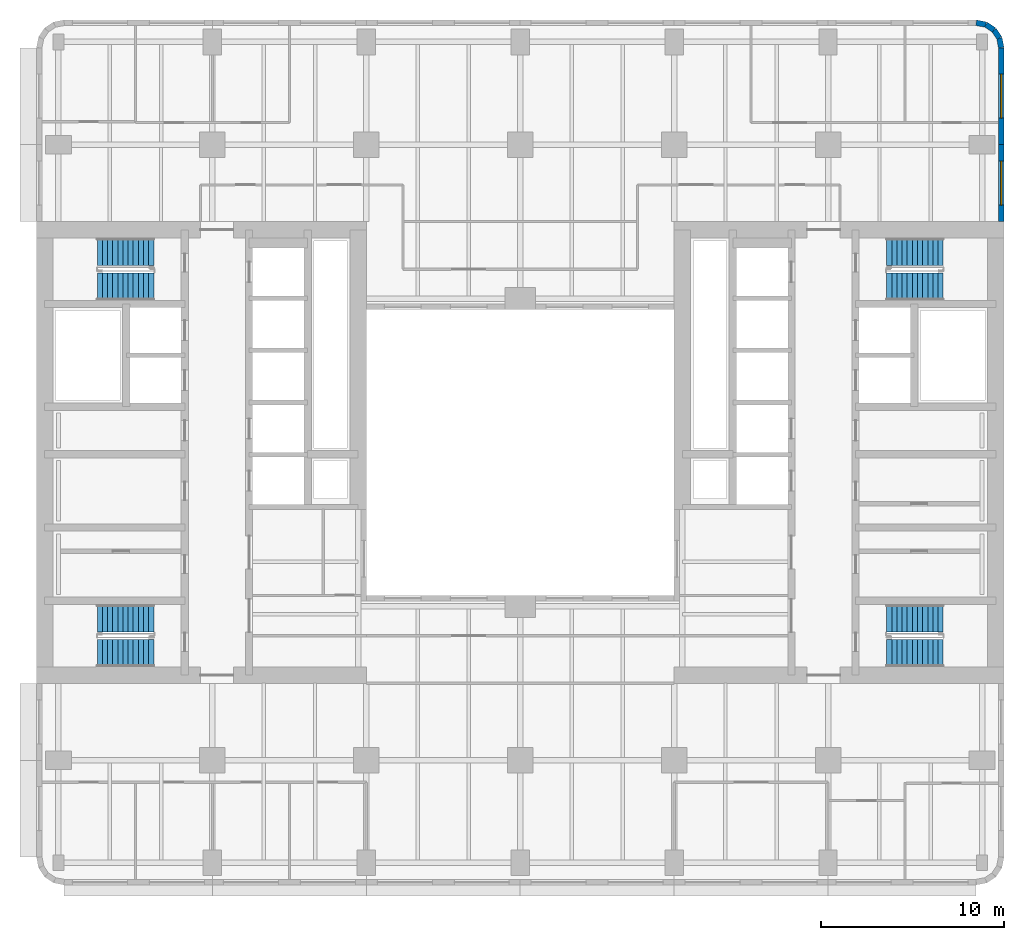
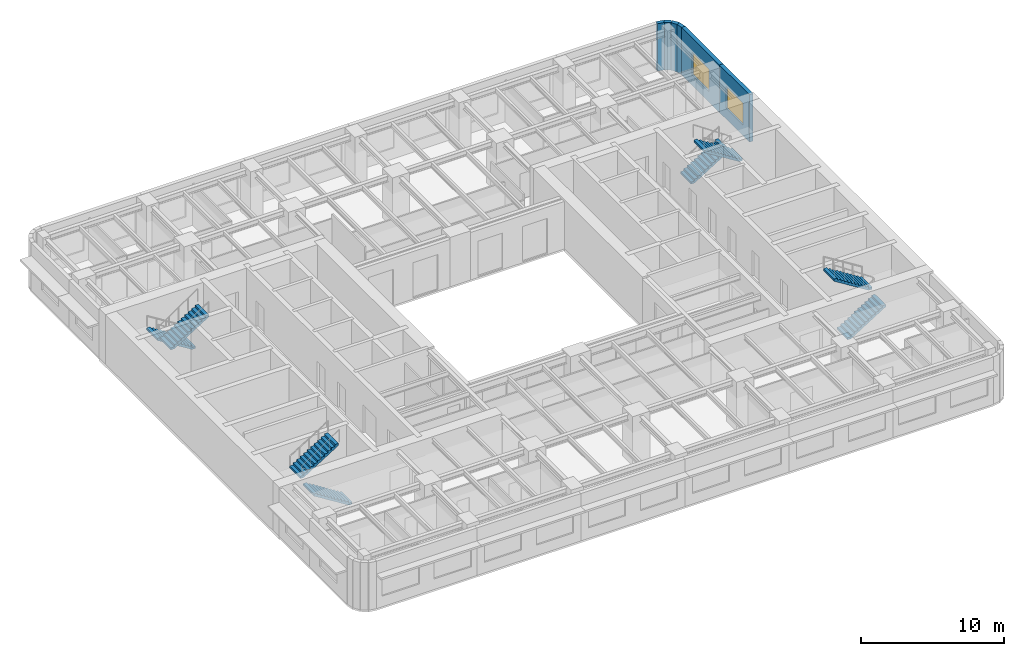
# One storey, part 8 of 11: 8 stair flights, 6 walls, 2 windows, 2 openings, 4 elements without a shape of their own.
"""IFC4 building model written with IfcOpenShell, lengths in metres."""

from ifc_helpers import new_model, si_unit, direction, frame, frame_2d, origin, place, context, subcontext, project, spatial, polyline, rectangle, outline, extrude, material, layer, layer_set, type_object, element, fill, aggregate, save


model = new_model("IFC4")

# Units and contexts
model_context = context("Model", 3, precision=1e-05, world=origin(), true_north=direction((0.0, 1.0)))
body_context = subcontext(model_context, "Body", "Model", "MODEL_VIEW")
ifc_project = project(units=[si_unit("LENGTHUNIT", "METRE"), si_unit("AREAUNIT", "SQUARE_METRE"), si_unit("VOLUMEUNIT", "CUBIC_METRE"), si_unit("PLANEANGLEUNIT", "RADIAN"), si_unit("MASSUNIT", "GRAM", prefix="KILO")], contexts=[model_context])

# Site, building, storey
site_placement = place(None, origin())
site = spatial("IfcSite", under=ifc_project, at=site_placement, CompositionType="ELEMENT")
building_placement = place(site_placement, origin())
building = spatial("IfcBuilding", under=site, at=building_placement, Name="Claustro Exchange Tower", CompositionType="ELEMENT")
storey_placement = place(building_placement, frame((0.0, 0.0, 109.199951171875)))
storey = spatial("IfcBuildingStorey", under=building, at=storey_placement, Name="L24", CompositionType="ELEMENT", Elevation=109.199951171875)

# Walls
ifc_material_1 = material(Name="Concrete HA-40 (C40/50), precast, white cement, acid-etched", Category="concrete")
ifc_layer = layer(ifc_material_1, 0.300048828125)
ifc_layer_set = layer_set([ifc_layer], Name="Concrete HA-40 (C40/50), precast, white cement, acid-etched")
wall_type = type_object("IfcWallType", Name="PC1 300 precast concrete pier panel", PredefinedType="SOLIDWALL", material=ifc_layer_set)
wall_1_placement = place(storey_placement, frame((50.085205078125, 48.64990234375, 0.0), z_axis=(0.0, 0.0, 1.0), x_axis=(0.980788534345, -0.195073962632, 0.0)))
element("IfcWall", 1, at=wall_1_placement, inside=storey, type_object=wall_type, Name="Precast pier panel PC1 L24", PredefinedType="SOLIDWALL", context=body_context, shape_type="SweptSolid", body=[
    extrude(rectangle(XDim=0.540771484375, YDim=0.300048828125, at=frame_2d((0.2705078125, 0.0))), origin(), (0.0, 0.0, 1.0), 4.050048828125),
])
wall_2_placement = place(storey_placement, frame((50.615478515625, 48.54443359375, 0.0), z_axis=(0.0, 0.0, 1.0), x_axis=(0.831692711774, -0.555236195849, 0.0)))
element("IfcWall", 2, at=wall_2_placement, inside=storey, type_object=wall_type, Name="Precast pier panel PC1 L24", PredefinedType="SOLIDWALL", context=body_context, shape_type="SweptSolid", body=[
    extrude(rectangle(XDim=0.525390625, YDim=0.300048828125, at=frame_2d((0.2626953125, 0.0))), origin(), (0.0, 0.0, 1.0), 4.050048828125),
])
wall_3_placement = place(storey_placement, frame((51.052490234375, 48.252685546875, 0.0), z_axis=(0.0, 0.0, 1.0), x_axis=(0.55534295404, -0.831621430339, 0.0)))
element("IfcWall", 3, at=wall_3_placement, inside=storey, type_object=wall_type, Name="Precast pier panel PC1 L24", PredefinedType="SOLIDWALL", context=body_context, shape_type="SweptSolid", body=[
    extrude(rectangle(XDim=0.52587890625, YDim=0.300048828125, at=frame_2d((0.262939453125, 0.0))), origin(), (0.0, 0.0, 1.0), 4.050048828125),
])
wall_4_placement = place(storey_placement, frame((51.344482421875, 47.8154296875, 0.0), z_axis=(0.0, 0.0, 1.0), x_axis=(0.195073962632, -0.980788534345, 0.0)))
element("IfcWall", 4, at=wall_4_placement, inside=storey, type_object=wall_type, Name="Precast pier panel PC1 L24", PredefinedType="SOLIDWALL", context=body_context, shape_type="SweptSolid", body=[
    extrude(rectangle(XDim=0.540771484375, YDim=0.300048828125, at=frame_2d((0.2705078125, 0.0))), origin(), (0.0, 0.0, 1.0), 4.050048828125),
])

# Wall, opening, window
wall_5_placement = place(storey_placement, frame((51.449951171875, 47.28515625, 0.0), z_axis=(0.0, 0.0, 1.0), x_axis=(0.0, -1.0, 0.0)))
wall_5 = element("IfcWall", 5, at=wall_5_placement, inside=storey, type_object=wall_type, Name="Precast pier panel PC1 L24", PredefinedType="SOLIDWALL", context=body_context, shape_type="SweptSolid", body=[
    extrude(rectangle(XDim=5.28515625, YDim=0.300048828125, at=frame_2d((2.642578125, 0.0))), origin(), (0.0, 0.0, 1.0), 4.050048828125),
])
opening_1_placement = place(wall_5_placement, frame((1.442626953125, 0.0, 0.89990234375)))
opening_1 = element("IfcOpeningElement", 6, at=opening_1_placement, cuts=wall_5, Name="Opening W2", PredefinedType="OPENING", context=body_context, shape_type="SweptSolid", body=[
    extrude(rectangle(XDim=2.39990234375, YDim=1.89990234375, at=frame_2d((1.199951171875, 0.949951171875))), frame((0.0, 0.159912109375, 0.0), z_axis=(0.0, -1.0, 0.0), x_axis=(1.0, 0.0, 0.0)), (0.0, 0.0, 1.0), 0.320068359375),
])
ifc_material_2 = material(Name="Aluminium frame, clear double glazing", Category="aluminium")
window_type = type_object("IfcWindowType", Name="W2 2400 x 1900 window", PartitioningType="SINGLE_PANEL", PredefinedType="WINDOW", material=ifc_material_2)
window_1_placement = place(opening_1_placement, origin())
window_1 = element("IfcWindow", 7, at=window_1_placement, inside=storey, type_object=window_type, Name="Window W2 L24", OverallHeight=1.89990234375, OverallWidth=2.39990234375, PartitioningType="SINGLE_PANEL", PredefinedType="WINDOW", context=body_context, shape_type="SweptSolid", body=[
    extrude(rectangle(XDim=2.39990234375, YDim=1.89990234375, at=frame_2d((1.199951171875, 0.949951171875))), frame((0.0, 0.030029296875, 0.0), z_axis=(0.0, -1.0, 0.0), x_axis=(1.0, 0.0, 0.0)), (0.0, 0.0, 1.0), 0.06005859375),
])
fill(opening_1, window_1)

wall_6_placement = place(storey_placement, frame((51.449951171875, 42.0, 0.0), z_axis=(0.0, 0.0, 1.0), x_axis=(0.0, -1.0, 0.0)))
wall_6 = element("IfcWall", 8, at=wall_6_placement, inside=storey, type_object=wall_type, Name="Precast pier panel PC1 L24", PredefinedType="SOLIDWALL", context=body_context, shape_type="SweptSolid", body=[
    extrude(rectangle(XDim=4.199951171875, YDim=0.300048828125, at=frame_2d((2.10009765625, 0.0))), origin(), (0.0, 0.0, 1.0), 4.050048828125),
])
opening_2_placement = place(wall_6_placement, frame((0.89990234375, 0.0, 0.89990234375)))
opening_2 = element("IfcOpeningElement", 9, at=opening_2_placement, cuts=wall_6, Name="Opening W2", PredefinedType="OPENING", context=body_context, shape_type="SweptSolid", body=[
    extrude(rectangle(XDim=2.39990234375, YDim=1.89990234375, at=frame_2d((1.199951171875, 0.949951171875))), frame((0.0, 0.159912109375, 0.0), z_axis=(0.0, -1.0, 0.0), x_axis=(1.0, 0.0, 0.0)), (0.0, 0.0, 1.0), 0.320068359375),
])
window_2_placement = place(opening_2_placement, origin())
window_2 = element("IfcWindow", 10, at=window_2_placement, inside=storey, type_object=window_type, Name="Window W2 L24", OverallHeight=1.89990234375, OverallWidth=2.39990234375, PartitioningType="SINGLE_PANEL", PredefinedType="WINDOW", context=body_context, shape_type="SweptSolid", body=[
    extrude(rectangle(XDim=2.39990234375, YDim=1.89990234375, at=frame_2d((1.199951171875, 0.949951171875))), frame((0.0, 0.030029296875, 0.0), z_axis=(0.0, -1.0, 0.0), x_axis=(1.0, 0.0, 0.0)), (0.0, 0.0, 1.0), 0.06005859375),
])
fill(opening_2, window_2)

# Stair, stair flights
ifc_material_3 = material(Name="Concrete HA-30 (C30/37), precast", Category="concrete")
stair_type = type_object("IfcStairType", Name="ST1 half-turn stair, 24 risers of 175", PredefinedType="HALF_TURN_STAIR", material=ifc_material_3)
stair_1_placement = place(storey_placement, origin())
stair_1 = element("IfcStair", 11, at=stair_1_placement, inside=storey, type_object=stair_type, Name="Stair STWA L24", PredefinedType="HALF_TURN_STAIR")
ifc_material_4 = material(Name="Concrete HA-30 (C30/37), precast", Category="concrete")
stair_flight_type = type_object("IfcStairFlightType", Name="SF12A straight flight, 12 risers of 175, 1500 wide", PredefinedType="STRAIGHT", material=ifc_material_4)
stair_flight_1_placement = place(storey_placement, frame((5.199951171875, 14.25, 0.0), z_axis=(0.0, 0.0, 1.0), x_axis=(-1.0, 0.0, 0.0)))
stair_flight_1 = element("IfcStairFlight", 12, at=stair_flight_1_placement, type_object=stair_flight_type, Name="STWA flight 1", NumberOfRisers=12, NumberOfTreads=11, PredefinedType="STRAIGHT", RiserHeight=0.175, TreadLength=0.28, context=body_context, shape_type="SweptSolid", body=[
    extrude(outline(polyline([(0.0, 0.0), (0.0, 0.175048828125), (0.280029296875, 0.175048828125), (0.280029296875, 0.35009765625), (0.56005859375, 0.35009765625), (0.56005859375, 0.52490234375), (0.840087890625, 0.52490234375), (0.840087890625, 0.699951171875), (1.1201171875, 0.699951171875), (1.1201171875, 0.875), (1.39990234375, 0.875), (1.39990234375, 1.050048828125), (1.679931640625, 1.050048828125), (1.679931640625, 1.22509765625), (1.9599609375, 1.22509765625), (1.9599609375, 1.39990234375), (2.239990234375, 1.39990234375), (2.239990234375, 1.574951171875), (2.52001953125, 1.574951171875), (2.52001953125, 1.75), (2.800048828125, 1.75), (2.800048828125, 1.925048828125), (3.080078125, 1.925048828125), (3.080078125, 2.10009765625), (3.080078125, 1.748291015625), (0.28271484375, 0.0), (0.0, 0.0)])), frame((0.0, 0.75, 0.0), z_axis=(0.0, -1.0, 0.0), x_axis=(1.0, 0.0, 0.0)), (0.0, 0.0, 1.0), 1.5),
])
stair_flight_2_placement = place(storey_placement, frame((2.1201171875, 16.14990234375, 2.10009765625), z_axis=(0.0, 0.0, 1.0), x_axis=(1.0, 0.0, 0.0)))
stair_flight_2 = element("IfcStairFlight", 13, at=stair_flight_2_placement, type_object=stair_flight_type, Name="STWA flight 2", NumberOfRisers=12, NumberOfTreads=11, PredefinedType="STRAIGHT", RiserHeight=0.175, TreadLength=0.28, context=body_context, shape_type="SweptSolid", body=[
    extrude(outline(polyline([(0.0, 0.0), (0.0, 0.175048828125), (0.280029296875, 0.175048828125), (0.280029296875, 0.35009765625), (0.56005859375, 0.35009765625), (0.56005859375, 0.52490234375), (0.840087890625, 0.52490234375), (0.840087890625, 0.699951171875), (1.1201171875, 0.699951171875), (1.1201171875, 0.875), (1.39990234375, 0.875), (1.39990234375, 1.050048828125), (1.679931640625, 1.050048828125), (1.679931640625, 1.22509765625), (1.9599609375, 1.22509765625), (1.9599609375, 1.39990234375), (2.239990234375, 1.39990234375), (2.239990234375, 1.574951171875), (2.52001953125, 1.574951171875), (2.52001953125, 1.75), (2.800048828125, 1.75), (2.800048828125, 1.925048828125), (3.080078125, 1.925048828125), (3.080078125, 2.10009765625), (3.080078125, 1.748291015625), (0.28271484375, 0.0), (0.0, 0.0)])), frame((0.0, 0.75, 0.0), z_axis=(0.0, -1.0, 0.0), x_axis=(1.0, 0.0, 0.0)), (0.0, 0.0, 1.0), 1.5),
])
aggregate(stair_1, [stair_flight_1, stair_flight_2])

stair_2_placement = place(storey_placement, origin())
stair_2 = element("IfcStair", 14, at=stair_2_placement, inside=storey, type_object=stair_type, Name="Stair STWB L24", PredefinedType="HALF_TURN_STAIR")
stair_flight_3_placement = place(storey_placement, frame((5.199951171875, 36.14990234375, 0.0), z_axis=(0.0, 0.0, 1.0), x_axis=(-1.0, 0.0, 0.0)))
stair_flight_3 = element("IfcStairFlight", 15, at=stair_flight_3_placement, type_object=stair_flight_type, Name="STWB flight 1", NumberOfRisers=12, NumberOfTreads=11, PredefinedType="STRAIGHT", RiserHeight=0.175, TreadLength=0.28, context=body_context, shape_type="SweptSolid", body=[
    extrude(outline(polyline([(0.0, 0.0), (0.0, 0.175048828125), (0.280029296875, 0.175048828125), (0.280029296875, 0.35009765625), (0.56005859375, 0.35009765625), (0.56005859375, 0.52490234375), (0.840087890625, 0.52490234375), (0.840087890625, 0.699951171875), (1.1201171875, 0.699951171875), (1.1201171875, 0.875), (1.39990234375, 0.875), (1.39990234375, 1.050048828125), (1.679931640625, 1.050048828125), (1.679931640625, 1.22509765625), (1.9599609375, 1.22509765625), (1.9599609375, 1.39990234375), (2.239990234375, 1.39990234375), (2.239990234375, 1.574951171875), (2.52001953125, 1.574951171875), (2.52001953125, 1.75), (2.800048828125, 1.75), (2.800048828125, 1.925048828125), (3.080078125, 1.925048828125), (3.080078125, 2.10009765625), (3.080078125, 1.748291015625), (0.28271484375, 0.0), (0.0, 0.0)])), frame((0.0, 0.75, 0.0), z_axis=(0.0, -1.0, 0.0), x_axis=(1.0, 0.0, 0.0)), (0.0, 0.0, 1.0), 1.5),
])
stair_flight_4_placement = place(storey_placement, frame((2.1201171875, 34.25, 2.10009765625), z_axis=(0.0, 0.0, 1.0), x_axis=(1.0, 0.0, 0.0)))
stair_flight_4 = element("IfcStairFlight", 16, at=stair_flight_4_placement, type_object=stair_flight_type, Name="STWB flight 2", NumberOfRisers=12, NumberOfTreads=11, PredefinedType="STRAIGHT", RiserHeight=0.175, TreadLength=0.28, context=body_context, shape_type="SweptSolid", body=[
    extrude(outline(polyline([(0.0, 0.0), (0.0, 0.175048828125), (0.280029296875, 0.175048828125), (0.280029296875, 0.35009765625), (0.56005859375, 0.35009765625), (0.56005859375, 0.52490234375), (0.840087890625, 0.52490234375), (0.840087890625, 0.699951171875), (1.1201171875, 0.699951171875), (1.1201171875, 0.875), (1.39990234375, 0.875), (1.39990234375, 1.050048828125), (1.679931640625, 1.050048828125), (1.679931640625, 1.22509765625), (1.9599609375, 1.22509765625), (1.9599609375, 1.39990234375), (2.239990234375, 1.39990234375), (2.239990234375, 1.574951171875), (2.52001953125, 1.574951171875), (2.52001953125, 1.75), (2.800048828125, 1.75), (2.800048828125, 1.925048828125), (3.080078125, 1.925048828125), (3.080078125, 2.10009765625), (3.080078125, 1.748291015625), (0.28271484375, 0.0), (0.0, 0.0)])), frame((0.0, 0.75, 0.0), z_axis=(0.0, -1.0, 0.0), x_axis=(1.0, 0.0, 0.0)), (0.0, 0.0, 1.0), 1.5),
])
aggregate(stair_2, [stair_flight_3, stair_flight_4])

stair_3_placement = place(storey_placement, origin())
stair_3 = element("IfcStair", 17, at=stair_3_placement, inside=storey, type_object=stair_type, Name="Stair STEA L24", PredefinedType="HALF_TURN_STAIR")
stair_flight_5_placement = place(storey_placement, frame((45.199951171875, 14.25, 0.0), z_axis=(0.0, 0.0, 1.0), x_axis=(1.0, 0.0, 0.0)))
stair_flight_5 = element("IfcStairFlight", 18, at=stair_flight_5_placement, type_object=stair_flight_type, Name="STEA flight 1", NumberOfRisers=12, NumberOfTreads=11, PredefinedType="STRAIGHT", RiserHeight=0.175, TreadLength=0.28, context=body_context, shape_type="SweptSolid", body=[
    extrude(outline(polyline([(0.0, 0.0), (0.0, 0.175048828125), (0.280029296875, 0.175048828125), (0.280029296875, 0.35009765625), (0.56005859375, 0.35009765625), (0.56005859375, 0.52490234375), (0.840087890625, 0.52490234375), (0.840087890625, 0.699951171875), (1.1201171875, 0.699951171875), (1.1201171875, 0.875), (1.39990234375, 0.875), (1.39990234375, 1.050048828125), (1.679931640625, 1.050048828125), (1.679931640625, 1.22509765625), (1.9599609375, 1.22509765625), (1.9599609375, 1.39990234375), (2.239990234375, 1.39990234375), (2.239990234375, 1.574951171875), (2.52001953125, 1.574951171875), (2.52001953125, 1.75), (2.800048828125, 1.75), (2.800048828125, 1.925048828125), (3.080078125, 1.925048828125), (3.080078125, 2.10009765625), (3.080078125, 1.748291015625), (0.28271484375, 0.0), (0.0, 0.0)])), frame((0.0, 0.75, 0.0), z_axis=(0.0, -1.0, 0.0), x_axis=(1.0, 0.0, 0.0)), (0.0, 0.0, 1.0), 1.5),
])
stair_flight_6_placement = place(storey_placement, frame((48.280029296875, 16.14990234375, 2.10009765625), z_axis=(0.0, 0.0, 1.0), x_axis=(-1.0, 0.0, 0.0)))
stair_flight_6 = element("IfcStairFlight", 19, at=stair_flight_6_placement, type_object=stair_flight_type, Name="STEA flight 2", NumberOfRisers=12, NumberOfTreads=11, PredefinedType="STRAIGHT", RiserHeight=0.175, TreadLength=0.28, context=body_context, shape_type="SweptSolid", body=[
    extrude(outline(polyline([(0.0, 0.0), (0.0, 0.175048828125), (0.280029296875, 0.175048828125), (0.280029296875, 0.35009765625), (0.56005859375, 0.35009765625), (0.56005859375, 0.52490234375), (0.840087890625, 0.52490234375), (0.840087890625, 0.699951171875), (1.1201171875, 0.699951171875), (1.1201171875, 0.875), (1.39990234375, 0.875), (1.39990234375, 1.050048828125), (1.679931640625, 1.050048828125), (1.679931640625, 1.22509765625), (1.9599609375, 1.22509765625), (1.9599609375, 1.39990234375), (2.239990234375, 1.39990234375), (2.239990234375, 1.574951171875), (2.52001953125, 1.574951171875), (2.52001953125, 1.75), (2.800048828125, 1.75), (2.800048828125, 1.925048828125), (3.080078125, 1.925048828125), (3.080078125, 2.10009765625), (3.080078125, 1.748291015625), (0.28271484375, 0.0), (0.0, 0.0)])), frame((0.0, 0.75, 0.0), z_axis=(0.0, -1.0, 0.0), x_axis=(1.0, 0.0, 0.0)), (0.0, 0.0, 1.0), 1.5),
])
aggregate(stair_3, [stair_flight_5, stair_flight_6])

stair_4_placement = place(storey_placement, origin())
stair_4 = element("IfcStair", 20, at=stair_4_placement, inside=storey, type_object=stair_type, Name="Stair STEB L24", PredefinedType="HALF_TURN_STAIR")
stair_flight_7_placement = place(storey_placement, frame((45.199951171875, 36.14990234375, 0.0), z_axis=(0.0, 0.0, 1.0), x_axis=(1.0, 0.0, 0.0)))
stair_flight_7 = element("IfcStairFlight", 21, at=stair_flight_7_placement, type_object=stair_flight_type, Name="STEB flight 1", NumberOfRisers=12, NumberOfTreads=11, PredefinedType="STRAIGHT", RiserHeight=0.175, TreadLength=0.28, context=body_context, shape_type="SweptSolid", body=[
    extrude(outline(polyline([(0.0, 0.0), (0.0, 0.175048828125), (0.280029296875, 0.175048828125), (0.280029296875, 0.35009765625), (0.56005859375, 0.35009765625), (0.56005859375, 0.52490234375), (0.840087890625, 0.52490234375), (0.840087890625, 0.699951171875), (1.1201171875, 0.699951171875), (1.1201171875, 0.875), (1.39990234375, 0.875), (1.39990234375, 1.050048828125), (1.679931640625, 1.050048828125), (1.679931640625, 1.22509765625), (1.9599609375, 1.22509765625), (1.9599609375, 1.39990234375), (2.239990234375, 1.39990234375), (2.239990234375, 1.574951171875), (2.52001953125, 1.574951171875), (2.52001953125, 1.75), (2.800048828125, 1.75), (2.800048828125, 1.925048828125), (3.080078125, 1.925048828125), (3.080078125, 2.10009765625), (3.080078125, 1.748291015625), (0.28271484375, 0.0), (0.0, 0.0)])), frame((0.0, 0.75, 0.0), z_axis=(0.0, -1.0, 0.0), x_axis=(1.0, 0.0, 0.0)), (0.0, 0.0, 1.0), 1.5),
])
stair_flight_8_placement = place(storey_placement, frame((48.280029296875, 34.25, 2.10009765625), z_axis=(0.0, 0.0, 1.0), x_axis=(-1.0, 0.0, 0.0)))
stair_flight_8 = element("IfcStairFlight", 22, at=stair_flight_8_placement, type_object=stair_flight_type, Name="STEB flight 2", NumberOfRisers=12, NumberOfTreads=11, PredefinedType="STRAIGHT", RiserHeight=0.175, TreadLength=0.28, context=body_context, shape_type="SweptSolid", body=[
    extrude(outline(polyline([(0.0, 0.0), (0.0, 0.175048828125), (0.280029296875, 0.175048828125), (0.280029296875, 0.35009765625), (0.56005859375, 0.35009765625), (0.56005859375, 0.52490234375), (0.840087890625, 0.52490234375), (0.840087890625, 0.699951171875), (1.1201171875, 0.699951171875), (1.1201171875, 0.875), (1.39990234375, 0.875), (1.39990234375, 1.050048828125), (1.679931640625, 1.050048828125), (1.679931640625, 1.22509765625), (1.9599609375, 1.22509765625), (1.9599609375, 1.39990234375), (2.239990234375, 1.39990234375), (2.239990234375, 1.574951171875), (2.52001953125, 1.574951171875), (2.52001953125, 1.75), (2.800048828125, 1.75), (2.800048828125, 1.925048828125), (3.080078125, 1.925048828125), (3.080078125, 2.10009765625), (3.080078125, 1.748291015625), (0.28271484375, 0.0), (0.0, 0.0)])), frame((0.0, 0.75, 0.0), z_axis=(0.0, -1.0, 0.0), x_axis=(1.0, 0.0, 0.0)), (0.0, 0.0, 1.0), 1.5),
])
aggregate(stair_4, [stair_flight_7, stair_flight_8])

save(model, "model.ifc")
